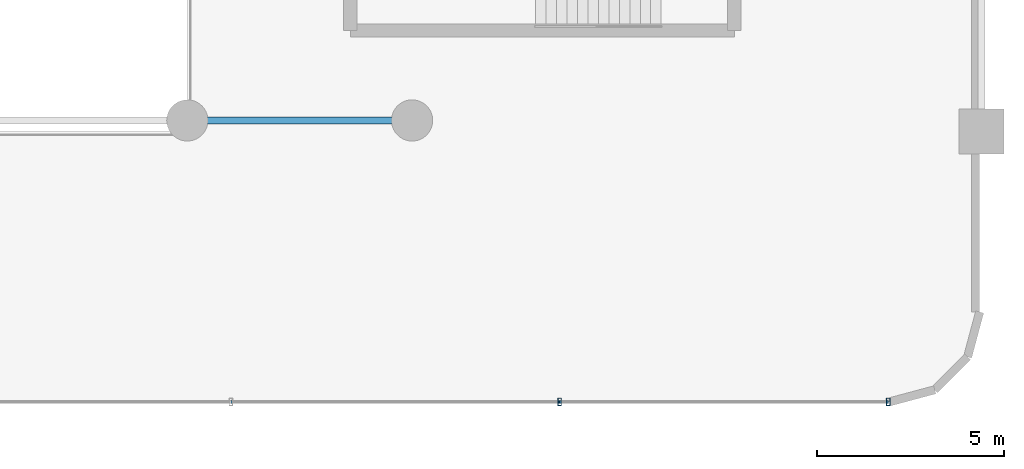
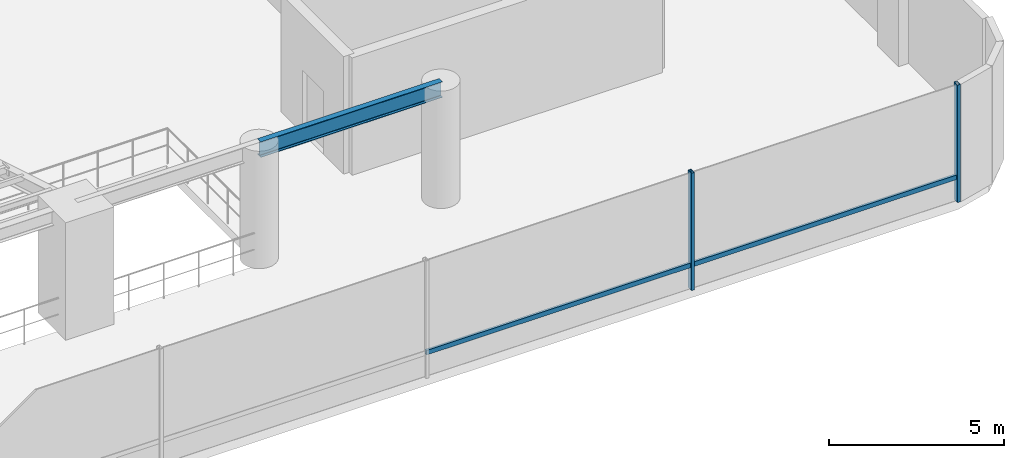
# One storey, part 7 of 23: 4 members, 1 beam, 1 element without a shape of its own.
"""IFC4 building model written with IfcOpenShell, lengths in metres."""

from ifc_helpers import new_model, si_unit, direction, frame, origin, origin_2d, place, context, subcontext, project, spatial, hollow_rectangle, i_section, extrude, source, transform, mapped, material, material_profile, profile_set, type_object, element, aggregate, save


model = new_model("IFC4")

# Units and contexts
model_context = context("Model", 3, precision=1e-05, world=origin(), true_north=direction((0.0, 1.0)))
body_context = subcontext(model_context, "Body", "Model", "MODEL_VIEW")
ifc_project = project(units=[si_unit("LENGTHUNIT", "METRE"), si_unit("AREAUNIT", "SQUARE_METRE"), si_unit("VOLUMEUNIT", "CUBIC_METRE"), si_unit("PLANEANGLEUNIT", "RADIAN"), si_unit("MASSUNIT", "GRAM", prefix="KILO")], contexts=[model_context])

# Site, building, storey
site_placement = place(None, origin())
site = spatial("IfcSite", under=ifc_project, at=site_placement, CompositionType="ELEMENT")
building_placement = place(site_placement, origin())
building = spatial("IfcBuilding", under=site, at=building_placement, Name="Sahyath Konkavel Grand Hotel", CompositionType="ELEMENT")
storey_placement = place(building_placement, frame((0.0, 0.0, 4.800048828125)))
storey = spatial("IfcBuildingStorey", under=building, at=storey_placement, Name="L01", CompositionType="ELEMENT", Elevation=4.800048828125)

# Beam
ifc_material_1 = material(Name="Steel E350", Category="steel")
ifc_material_profile_1 = material_profile(ifc_material_1, i_section(OverallWidth=0.18994140625, OverallDepth=0.550048828125, WebThickness=0.01123046875, FlangeThickness=0.019287109375, FilletRadius=0.01806640625, at=origin_2d()), Name="ISMB 550")
ifc_profile_set_1 = profile_set([ifc_material_profile_1], Name="Steel E350")
beam_type = type_object("IfcBeamType", Name="BM-ISMB550", PredefinedType="BEAM", material=ifc_profile_set_1)
shared_shape_1 = source(origin(), body_context, "Body", "SweptSolid", [
    extrude(i_section(OverallWidth=0.18994140625, OverallDepth=0.550048828125, WebThickness=0.01123046875, FlangeThickness=0.019287109375, FilletRadius=0.01806640625, at=origin_2d()), origin(), (0.0, 0.0, 1.0), 6.0),
])
beam_placement = place(storey_placement, frame((12.0, -16.5, 3.824951171875), z_axis=(1.0, 0.0, 0.0), x_axis=(0.0, 1.0, 0.0)))
element("IfcBeam", 1, at=beam_placement, inside=storey, type_object=beam_type, Name="str:bm:L01:POD-08", PredefinedType="BEAM", context=body_context, shape_type="MappedRepresentation", body=[
    mapped(shared_shape_1, transform((0.0, 0.0, 0.0), scale=1.0)),
])

# Curtain wall, members
ifc_material_2 = material(Name="Anodised Bronze Aluminium & Low-E Glazing", Category="aluminium")
curtain_wall_type = type_object("IfcCurtainWallType", Name="CW-PODIUM", PredefinedType="NOTDEFINED", material=ifc_material_2)
curtain_wall_placement = place(storey_placement, origin())
curtain_wall = element("IfcCurtainWall", 2, at=curtain_wall_placement, inside=storey, type_object=curtain_wall_type, Name="L01 Unitised Curtain Wall S", PredefinedType="NOTDEFINED")
ifc_material_3 = material(Name="Anodised Bronze Aluminium", Category="aluminium")
ifc_material_profile_2 = material_profile(ifc_material_3, hollow_rectangle(XDim=0.10009765625, YDim=0.199951171875, WallThickness=0.008056640625, at=origin_2d()), Name="RHS 200x100x8")
ifc_profile_set_2 = profile_set([ifc_material_profile_2], Name="Anodised Bronze Aluminium")
member_type_1 = type_object("IfcMemberType", Name="CW-MUL-200", PredefinedType="MULLION", material=ifc_profile_set_2)
shared_shape_2 = source(origin(), body_context, "Body", "SweptSolid", [
    extrude(hollow_rectangle(XDim=0.10009765625, YDim=0.199951171875, WallThickness=0.008056640625, at=origin_2d()), origin(), (0.0, 0.0, 1.0), 4.099853515625),
])
member_1_placement = place(storey_placement, frame((21.93701171875, -24.012939453125, 0.0), z_axis=(0.0, 0.0, 1.0), x_axis=(1.0, 0.0, 0.0)))
member_1 = element("IfcMember", 3, at=member_1_placement, type_object=member_type_1, Name="L01 Curtain Wall Mullion S-6", PredefinedType="MULLION", context=body_context, shape_type="MappedRepresentation", body=[
    mapped(shared_shape_2, transform((0.0, 0.0, 0.0), scale=1.0)),
])
member_2_placement = place(storey_placement, frame((30.7119140625, -24.012939453125, 0.0), z_axis=(0.0, 0.0, 1.0), x_axis=(1.0, 0.0, 0.0)))
member_2 = element("IfcMember", 4, at=member_2_placement, type_object=member_type_1, Name="L01 Curtain Wall Mullion S-7", PredefinedType="MULLION", context=body_context, shape_type="MappedRepresentation", body=[
    mapped(shared_shape_2, transform((0.0, 0.0, 0.0), scale=1.0)),
])
ifc_material_profile_3 = material_profile(ifc_material_3, hollow_rectangle(XDim=0.080078125, YDim=0.159912109375, WallThickness=0.006103515625, at=origin_2d()), Name="RHS 160x80x6")
ifc_profile_set_3 = profile_set([ifc_material_profile_3], Name="Anodised Bronze Aluminium")
member_type_2 = type_object("IfcMemberType", Name="CW-TRN-160", PredefinedType="USERDEFINED", material=ifc_profile_set_3)
shared_shape_3 = source(origin(), body_context, "Body", "SweptSolid", [
    extrude(hollow_rectangle(XDim=0.080078125, YDim=0.159912109375, WallThickness=0.006103515625, at=origin_2d()), origin(), (0.0, 0.0, 1.0), 8.77490234375),
])
member_3_placement = place(storey_placement, frame((21.93701171875, -24.012939453125, 0.849853515625), z_axis=(1.0, 0.0, 0.0), x_axis=(0.0, 1.0, 0.0)))
member_3 = element("IfcMember", 5, at=member_3_placement, type_object=member_type_2, Name="L01 Curtain Wall Transom S-6-spandrel", ObjectType="TRANSOM", PredefinedType="USERDEFINED", context=body_context, shape_type="MappedRepresentation", body=[
    mapped(shared_shape_3, transform((0.0, 0.0, 0.0), scale=1.0)),
])
shared_shape_4 = source(origin(), body_context, "Body", "SweptSolid", [
    extrude(hollow_rectangle(XDim=0.080078125, YDim=0.159912109375, WallThickness=0.006103515625, at=origin_2d()), origin(), (0.0, 0.0, 1.0), 8.774658203125),
])
member_4_placement = place(storey_placement, frame((13.162353515625, -24.012939453125, 0.849853515625), z_axis=(1.0, 0.0, 0.0), x_axis=(0.0, 1.0, 0.0)))
member_4 = element("IfcMember", 6, at=member_4_placement, type_object=member_type_2, Name="L01 Curtain Wall Transom S-5-spandrel", ObjectType="TRANSOM", PredefinedType="USERDEFINED", context=body_context, shape_type="MappedRepresentation", body=[
    mapped(shared_shape_4, transform((0.0, 0.0, 0.0), scale=1.0)),
])
aggregate(curtain_wall, [member_1, member_2, member_4, member_3])

save(model, "model.ifc")
